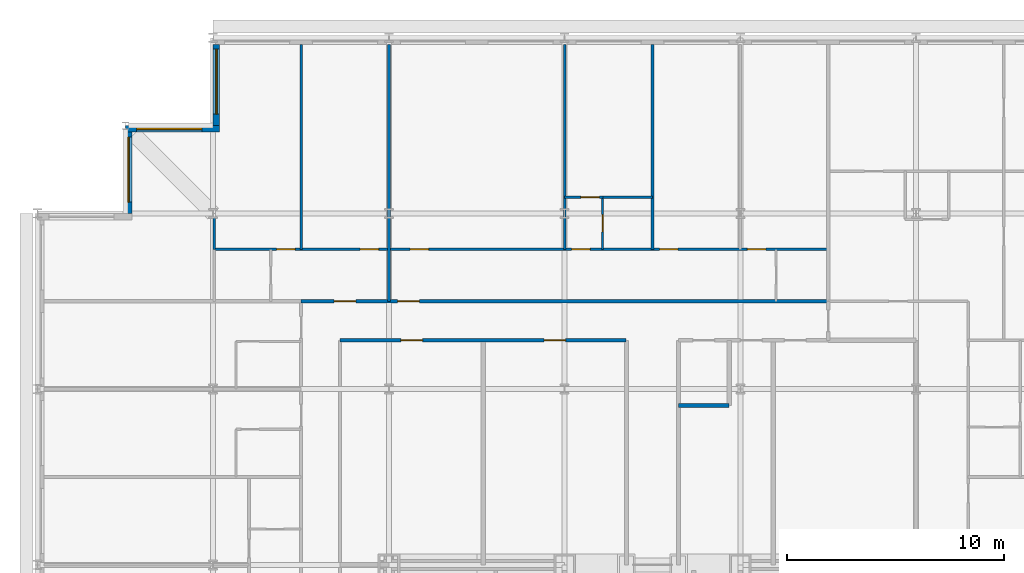
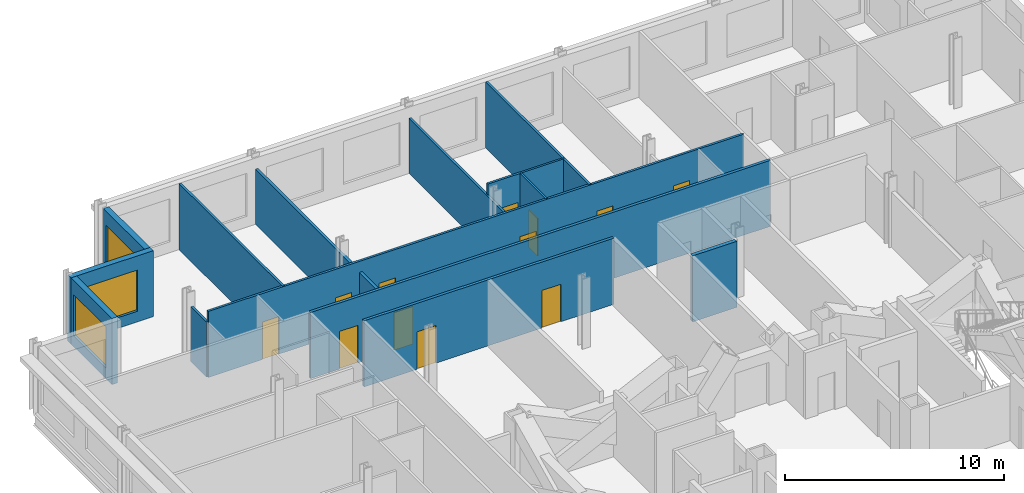
# One storey, part 12 of 15: 15 walls, 12 doors, 3 windows, 15 openings.
"""IFC4 building model written with IfcOpenShell, lengths in metres."""

from ifc_helpers import new_model, si_unit, direction, frame, frame_2d, origin, place, context, subcontext, project, spatial, rectangle, extrude, material, layer, layer_set, type_object, element, fill, save


model = new_model("IFC4")

# Units and contexts
model_context = context("Model", 3, precision=1e-05, world=origin(), true_north=direction((0.0, 1.0)))
body_context = subcontext(model_context, "Body", "Model", "MODEL_VIEW")
ifc_project = project(units=[si_unit("LENGTHUNIT", "METRE"), si_unit("AREAUNIT", "SQUARE_METRE"), si_unit("VOLUMEUNIT", "CUBIC_METRE"), si_unit("PLANEANGLEUNIT", "RADIAN"), si_unit("MASSUNIT", "GRAM", prefix="KILO")], contexts=[model_context])

# Site, building, storey
site_placement = place(None, origin())
site = spatial("IfcSite", under=ifc_project, at=site_placement, CompositionType="ELEMENT")
building_placement = place(site_placement, origin())
building = spatial("IfcBuilding", under=site, at=building_placement, Name="Kopane Lantern Tower", CompositionType="ELEMENT")
storey_placement = place(building_placement, frame((0.0, 0.0, 250.199951171875)))
storey = spatial("IfcBuildingStorey", under=building, at=storey_placement, Name="L64", CompositionType="ELEMENT", Elevation=250.199951171875)

# Walls
ifc_material_1 = material(Name="Gypsum board on steel studs", Category="steel")
ifc_layer_1 = layer(ifc_material_1, 0.1201171875)
ifc_layer_set_1 = layer_set([ifc_layer_1], Name="APARTMENT INTERNAL WALL 120")
wall_type_1 = type_object("IfcWallType", Name="APARTMENT INTERNAL WALL 120", PredefinedType="PARTITIONING", material=ifc_layer_set_1)
wall_1_placement = place(storey_placement, frame((24.300048828125, 55.050048828125, 0.0), z_axis=(0.0, 0.0, 1.0), x_axis=(0.0, 1.0, 0.0)))
element("IfcWall", 1, at=wall_1_placement, inside=storey, type_object=wall_type_1, Name="Apartment Internal Wall 120 L64", PredefinedType="PARTITIONING", context=body_context, shape_type="SweptSolid", body=[
    extrude(rectangle(XDim=9.449951171875, YDim=0.1201171875, at=frame_2d((4.72509765625, 0.0))), origin(), (0.0, 0.0, 1.0), 3.077880859375),
])
wall_2_placement = place(storey_placement, frame((28.35009765625, 55.050048828125, 0.0), z_axis=(0.0, 0.0, 1.0), x_axis=(0.0, 1.0, 0.0)))
element("IfcWall", 2, at=wall_2_placement, inside=storey, type_object=wall_type_1, Name="Apartment Internal Wall 120 L64", PredefinedType="PARTITIONING", context=body_context, shape_type="SweptSolid", body=[
    extrude(rectangle(XDim=9.449951171875, YDim=0.1201171875, at=frame_2d((4.72509765625, 0.0))), origin(), (0.0, 0.0, 1.0), 3.68994140625),
])

# Wall, openings, doors
wall_3_placement = place(storey_placement, frame((8.14990234375, 55.050048828125, 0.0), z_axis=(0.0, 0.0, 1.0), x_axis=(1.0, 0.0, 0.0)))
wall_3 = element("IfcWall", 3, at=wall_3_placement, inside=storey, type_object=wall_type_1, Name="Apartment Internal Wall 120 L64", PredefinedType="PARTITIONING", context=body_context, shape_type="SweptSolid", body=[
    extrude(rectangle(XDim=28.300048828125, YDim=0.1201171875, at=frame_2d((14.14990234375, 0.0))), origin(), (0.0, 0.0, 1.0), 3.68994140625),
])
opening_1_placement = place(wall_3_placement, frame((9.02490234375, 0.0, 0.0)))
opening_1 = element("IfcOpeningElement", 4, at=opening_1_placement, cuts=wall_3, Name="Opening L64-020", PredefinedType="OPENING", context=body_context, shape_type="SweptSolid", body=[
    extrude(rectangle(XDim=0.85009765625, YDim=2.10009765625, at=frame_2d((0.425048828125, 1.050048828125))), frame((0.0, 0.070068359375, 0.0), z_axis=(0.0, -1.0, 0.0), x_axis=(1.0, 0.0, 0.0)), (0.0, 0.0, 1.0), 0.14013671875),
])
opening_2_placement = place(wall_3_placement, frame((16.47509765625, 0.0, 0.0)))
opening_2 = element("IfcOpeningElement", 5, at=opening_2_placement, cuts=wall_3, Name="Opening L64-022", PredefinedType="OPENING", context=body_context, shape_type="SweptSolid", body=[
    extrude(rectangle(XDim=0.85009765625, YDim=2.10009765625, at=frame_2d((0.425048828125, 1.050048828125))), frame((0.0, 0.070068359375, 0.0), z_axis=(0.0, -1.0, 0.0), x_axis=(1.0, 0.0, 0.0)), (0.0, 0.0, 1.0), 0.14013671875),
])
opening_3_placement = place(wall_3_placement, frame((20.52490234375, 0.0, 0.0)))
opening_3 = element("IfcOpeningElement", 6, at=opening_3_placement, cuts=wall_3, Name="Opening L64-023", PredefinedType="OPENING", context=body_context, shape_type="SweptSolid", body=[
    extrude(rectangle(XDim=0.85009765625, YDim=2.10009765625, at=frame_2d((0.425048828125, 1.050048828125))), frame((0.0, 0.070068359375, 0.0), z_axis=(0.0, -1.0, 0.0), x_axis=(1.0, 0.0, 0.0)), (0.0, 0.0, 1.0), 0.14013671875),
])
opening_4_placement = place(wall_3_placement, frame((24.574951171875, 0.0, 0.0)))
opening_4 = element("IfcOpeningElement", 7, at=opening_4_placement, cuts=wall_3, Name="Opening L64-024", PredefinedType="OPENING", context=body_context, shape_type="SweptSolid", body=[
    extrude(rectangle(XDim=0.85009765625, YDim=2.10009765625, at=frame_2d((0.425048828125, 1.050048828125))), frame((0.0, 0.070068359375, 0.0), z_axis=(0.0, -1.0, 0.0), x_axis=(1.0, 0.0, 0.0)), (0.0, 0.0, 1.0), 0.14013671875),
])
opening_5_placement = place(wall_3_placement, frame((6.72509765625, 0.0, 0.0)))
opening_5 = element("IfcOpeningElement", 8, at=opening_5_placement, cuts=wall_3, Name="Opening L64-040", PredefinedType="OPENING", context=body_context, shape_type="SweptSolid", body=[
    extrude(rectangle(XDim=0.85009765625, YDim=2.10009765625, at=frame_2d((0.425048828125, 1.050048828125))), frame((0.0, 0.070068359375, 0.0), z_axis=(0.0, -1.0, 0.0), x_axis=(1.0, 0.0, 0.0)), (0.0, 0.0, 1.0), 0.14013671875),
])
opening_6_placement = place(wall_3_placement, frame((2.875, 0.0, 0.0)))
opening_6 = element("IfcOpeningElement", 9, at=opening_6_placement, cuts=wall_3, Name="Opening L64-042", PredefinedType="OPENING", context=body_context, shape_type="SweptSolid", body=[
    extrude(rectangle(XDim=0.85009765625, YDim=2.10009765625, at=frame_2d((0.425048828125, 1.050048828125))), frame((0.0, 0.070068359375, 0.0), z_axis=(0.0, -1.0, 0.0), x_axis=(1.0, 0.0, 0.0)), (0.0, 0.0, 1.0), 0.14013671875),
])
ifc_material_2 = material(Name="Timber door set", Category="wood")
door_type_1 = type_object("IfcDoorType", Name="DOOR D4 850x2100", OperationType="SINGLE_SWING_LEFT", PredefinedType="DOOR", material=ifc_material_2)
door_1_placement = place(opening_1_placement, origin())
door_1 = element("IfcDoor", 10, at=door_1_placement, inside=storey, type_object=door_type_1, Name="Door L64-020", OperationType="SINGLE_SWING_LEFT", OverallHeight=2.10009765625, OverallWidth=0.85009765625, PredefinedType="DOOR", context=body_context, shape_type="SweptSolid", body=[
    extrude(rectangle(XDim=0.85009765625, YDim=2.10009765625, at=frame_2d((0.425048828125, 1.050048828125))), frame((0.0, 0.02490234375, 0.0), z_axis=(0.0, -1.0, 0.0), x_axis=(1.0, 0.0, 0.0)), (0.0, 0.0, 1.0), 0.050048828125),
])
fill(opening_1, door_1)
door_2_placement = place(opening_2_placement, origin())
door_2 = element("IfcDoor", 11, at=door_2_placement, inside=storey, type_object=door_type_1, Name="Door L64-022", OperationType="SINGLE_SWING_LEFT", OverallHeight=2.10009765625, OverallWidth=0.85009765625, PredefinedType="DOOR", context=body_context, shape_type="SweptSolid", body=[
    extrude(rectangle(XDim=0.85009765625, YDim=2.10009765625, at=frame_2d((0.425048828125, 1.050048828125))), frame((0.0, 0.02490234375, 0.0), z_axis=(0.0, -1.0, 0.0), x_axis=(1.0, 0.0, 0.0)), (0.0, 0.0, 1.0), 0.050048828125),
])
fill(opening_2, door_2)
door_3_placement = place(opening_3_placement, origin())
door_3 = element("IfcDoor", 12, at=door_3_placement, inside=storey, type_object=door_type_1, Name="Door L64-023", OperationType="SINGLE_SWING_LEFT", OverallHeight=2.10009765625, OverallWidth=0.85009765625, PredefinedType="DOOR", context=body_context, shape_type="SweptSolid", body=[
    extrude(rectangle(XDim=0.85009765625, YDim=2.10009765625, at=frame_2d((0.425048828125, 1.050048828125))), frame((0.0, 0.02490234375, 0.0), z_axis=(0.0, -1.0, 0.0), x_axis=(1.0, 0.0, 0.0)), (0.0, 0.0, 1.0), 0.050048828125),
])
fill(opening_3, door_3)
door_4_placement = place(opening_4_placement, origin())
door_4 = element("IfcDoor", 13, at=door_4_placement, inside=storey, type_object=door_type_1, Name="Door L64-024", OperationType="SINGLE_SWING_LEFT", OverallHeight=2.10009765625, OverallWidth=0.85009765625, PredefinedType="DOOR", context=body_context, shape_type="SweptSolid", body=[
    extrude(rectangle(XDim=0.85009765625, YDim=2.10009765625, at=frame_2d((0.425048828125, 1.050048828125))), frame((0.0, 0.02490234375, 0.0), z_axis=(0.0, -1.0, 0.0), x_axis=(1.0, 0.0, 0.0)), (0.0, 0.0, 1.0), 0.050048828125),
])
fill(opening_4, door_4)
door_5_placement = place(opening_5_placement, origin())
door_5 = element("IfcDoor", 14, at=door_5_placement, inside=storey, type_object=door_type_1, Name="Door L64-040", OperationType="SINGLE_SWING_LEFT", OverallHeight=2.10009765625, OverallWidth=0.85009765625, PredefinedType="DOOR", context=body_context, shape_type="SweptSolid", body=[
    extrude(rectangle(XDim=0.85009765625, YDim=2.10009765625, at=frame_2d((0.425048828125, 1.050048828125))), frame((0.0, 0.02490234375, 0.0), z_axis=(0.0, -1.0, 0.0), x_axis=(1.0, 0.0, 0.0)), (0.0, 0.0, 1.0), 0.050048828125),
])
fill(opening_5, door_5)
door_6_placement = place(opening_6_placement, origin())
door_6 = element("IfcDoor", 15, at=door_6_placement, inside=storey, type_object=door_type_1, Name="Door L64-042", OperationType="SINGLE_SWING_RIGHT", OverallHeight=2.10009765625, OverallWidth=0.85009765625, PredefinedType="DOOR", context=body_context, shape_type="SweptSolid", body=[
    extrude(rectangle(XDim=0.85009765625, YDim=2.10009765625, at=frame_2d((0.425048828125, 1.050048828125))), frame((0.0, 0.02490234375, 0.0), z_axis=(0.0, -1.0, 0.0), x_axis=(1.0, 0.0, 0.0)), (0.0, 0.0, 1.0), 0.050048828125),
])
fill(opening_6, door_6)

# Wall
wall_4_placement = place(storey_placement, frame((12.14990234375, 55.050048828125, 0.0), z_axis=(0.0, 0.0, 1.0), x_axis=(0.0, 1.0, 0.0)))
element("IfcWall", 16, at=wall_4_placement, inside=storey, type_object=wall_type_1, Name="Apartment Internal Wall 120 L64", PredefinedType="PARTITIONING", context=body_context, shape_type="SweptSolid", body=[
    extrude(rectangle(XDim=9.449951171875, YDim=0.1201171875, at=frame_2d((4.72509765625, 0.0))), origin(), (0.0, 0.0, 1.0), 3.68994140625),
])

# Wall, opening, door
wall_5_placement = place(storey_placement, frame((24.300048828125, 57.449951171875, 0.0), z_axis=(0.0, 0.0, 1.0), x_axis=(1.0, 0.0, 0.0)))
wall_5 = element("IfcWall", 17, at=wall_5_placement, inside=storey, type_object=wall_type_1, Name="Apartment Internal Wall 120 L64", PredefinedType="PARTITIONING", context=body_context, shape_type="SweptSolid", body=[
    extrude(rectangle(XDim=1.760009765625, YDim=0.1201171875, at=frame_2d((0.8798828125, 0.0))), origin(), (0.0, 0.0, 1.0), 3.68994140625),
])
opening_7_placement = place(wall_5_placement, frame((0.75, 0.0, 0.0)))
opening_7 = element("IfcOpeningElement", 18, at=opening_7_placement, cuts=wall_5, Name="Opening L64-061", PredefinedType="OPENING", context=body_context, shape_type="SweptSolid", body=[
    extrude(rectangle(XDim=0.85009765625, YDim=2.10009765625, at=frame_2d((0.425048828125, 1.050048828125))), frame((0.0, 0.070068359375, 0.0), z_axis=(0.0, -1.0, 0.0), x_axis=(1.0, 0.0, 0.0)), (0.0, 0.0, 1.0), 0.14013671875),
])
door_7_placement = place(opening_7_placement, origin())
door_7 = element("IfcDoor", 19, at=door_7_placement, inside=storey, type_object=door_type_1, Name="Door L64-061", OperationType="SINGLE_SWING_LEFT", OverallHeight=2.10009765625, OverallWidth=0.85009765625, PredefinedType="DOOR", context=body_context, shape_type="SweptSolid", body=[
    extrude(rectangle(XDim=0.85009765625, YDim=2.10009765625, at=frame_2d((0.425048828125, 1.050048828125))), frame((0.0, 0.02490234375, 0.0), z_axis=(0.0, -1.0, 0.0), x_axis=(1.0, 0.0, 0.0)), (0.0, 0.0, 1.0), 0.050048828125),
])
fill(opening_7, door_7)

# Wall
wall_6_placement = place(storey_placement, frame((8.14990234375, 55.050048828125, 0.0), z_axis=(0.0, 0.0, 1.0), x_axis=(0.0, 1.0, 0.0)))
element("IfcWall", 20, at=wall_6_placement, inside=storey, type_object=wall_type_1, Name="Apartment Internal Wall 120 L64", PredefinedType="PARTITIONING", context=body_context, shape_type="SweptSolid", body=[
    extrude(rectangle(XDim=1.447021484375, YDim=0.1201171875, at=frame_2d((0.7236328125, 0.0))), origin(), (0.0, 0.0, 1.0), 3.077880859375),
])

# Wall, opening, door
ifc_material_3 = material(Name="Moisture-resistant board on steel studs", Category="steel")
ifc_layer_2 = layer(ifc_material_3, 0.10009765625)
ifc_layer_set_2 = layer_set([ifc_layer_2], Name="BATHROOM WALL 100")
wall_type_2 = type_object("IfcWallType", Name="BATHROOM WALL 100", PredefinedType="PARTITIONING", material=ifc_layer_set_2)
wall_7_placement = place(storey_placement, frame((26.050048828125, 55.050048828125, 0.0), z_axis=(0.0, 0.0, 1.0), x_axis=(0.0, 1.0, 0.0)))
wall_7 = element("IfcWall", 21, at=wall_7_placement, inside=storey, type_object=wall_type_2, Name="Bathroom Wall 100 L64", PredefinedType="PARTITIONING", context=body_context, shape_type="SweptSolid", body=[
    extrude(rectangle(XDim=2.39990234375, YDim=0.10009765625, at=frame_2d((1.199951171875, 0.0))), origin(), (0.0, 0.0, 1.0), 3.68994140625),
])
opening_8_placement = place(wall_7_placement, frame((0.800048828125, 0.0, 0.0)))
opening_8 = element("IfcOpeningElement", 22, at=opening_8_placement, cuts=wall_7, Name="Opening L64-021", PredefinedType="OPENING", context=body_context, shape_type="SweptSolid", body=[
    extrude(rectangle(XDim=0.800048828125, YDim=2.10009765625, at=frame_2d((0.39990234375, 1.050048828125))), frame((0.0, 0.06005859375, 0.0), z_axis=(0.0, -1.0, 0.0), x_axis=(1.0, 0.0, 0.0)), (0.0, 0.0, 1.0), 0.1201171875),
])
ifc_material_4 = material(Name="Timber door set", Category="wood")
door_type_2 = type_object("IfcDoorType", Name="DOOR D2 800x2100", OperationType="SINGLE_SWING_LEFT", PredefinedType="DOOR", material=ifc_material_4)
door_8_placement = place(opening_8_placement, origin())
door_8 = element("IfcDoor", 23, at=door_8_placement, inside=storey, type_object=door_type_2, Name="Door L64-021", OperationType="SINGLE_SWING_RIGHT", OverallHeight=2.10009765625, OverallWidth=0.800048828125, PredefinedType="DOOR", context=body_context, shape_type="SweptSolid", body=[
    extrude(rectangle(XDim=0.800048828125, YDim=2.10009765625, at=frame_2d((0.39990234375, 1.050048828125))), frame((0.0, 0.02490234375, 0.0), z_axis=(0.0, -1.0, 0.0), x_axis=(1.0, 0.0, 0.0)), (0.0, 0.0, 1.0), 0.050048828125),
])
fill(opening_8, door_8)

# Wall
wall_8_placement = place(storey_placement, frame((26.050048828125, 57.449951171875, 0.0), z_axis=(0.0, 0.0, 1.0), x_axis=(1.0, 0.0, 0.0)))
element("IfcWall", 24, at=wall_8_placement, inside=storey, type_object=wall_type_2, Name="Bathroom Wall 100 L64", PredefinedType="PARTITIONING", context=body_context, shape_type="SweptSolid", body=[
    extrude(rectangle(XDim=2.300048828125, YDim=0.10009765625, at=frame_2d((1.14990234375, 0.0))), origin(), (0.0, 0.0, 1.0), 3.68994140625),
])

# Wall, openings, doors
ifc_material_5 = material(Name="Gypsum board on steel studs", Category="steel")
ifc_layer_3 = layer(ifc_material_5, 0.14990234375)
ifc_layer_set_3 = layer_set([ifc_layer_3], Name="CORRIDOR WALL 150 EI 60")
wall_type_3 = type_object("IfcWallType", Name="CORRIDOR WALL 150 EI 60", PredefinedType="PARTITIONING", material=ifc_layer_set_3)
wall_9_placement = place(storey_placement, frame((12.14990234375, 52.64990234375, 0.0), z_axis=(0.0, 0.0, 1.0), x_axis=(1.0, 0.0, 0.0)))
wall_9 = element("IfcWall", 25, at=wall_9_placement, inside=storey, type_object=wall_type_3, Name="Corridor Wall 150 Ei 60 L64", PredefinedType="PARTITIONING", context=body_context, shape_type="SweptSolid", body=[
    extrude(rectangle(XDim=24.300048828125, YDim=0.14990234375, at=frame_2d((12.14990234375, 0.0))), origin(), (0.0, 0.0, 1.0), 3.68994140625),
])
opening_9_placement = place(wall_9_placement, frame((4.449951171875, 0.0, 0.0)))
opening_9 = element("IfcOpeningElement", 26, at=opening_9_placement, cuts=wall_9, Name="Opening L64-019", PredefinedType="OPENING", context=body_context, shape_type="SweptSolid", body=[
    extrude(rectangle(XDim=1.0, YDim=2.10009765625, at=frame_2d((0.5, 1.050048828125))), frame((0.0, 0.0849609375, 0.0), z_axis=(0.0, -1.0, 0.0), x_axis=(1.0, 0.0, 0.0)), (0.0, 0.0, 1.0), 0.169921875),
])
opening_10_placement = place(wall_9_placement, frame((1.52490234375, 0.0, 0.0)))
opening_10 = element("IfcOpeningElement", 27, at=opening_10_placement, cuts=wall_9, Name="Opening L64-039", PredefinedType="OPENING", context=body_context, shape_type="SweptSolid", body=[
    extrude(rectangle(XDim=1.0, YDim=2.10009765625, at=frame_2d((0.5, 1.050048828125))), frame((0.0, 0.0849609375, 0.0), z_axis=(0.0, -1.0, 0.0), x_axis=(1.0, 0.0, 0.0)), (0.0, 0.0, 1.0), 0.169921875),
])
ifc_material_6 = material(Name="Steel door set", Category="steel")
door_type_3 = type_object("IfcDoorType", Name="DOOR D3 1000x2100 FD30S", OperationType="SINGLE_SWING_LEFT", PredefinedType="DOOR", material=ifc_material_6)
door_9_placement = place(opening_9_placement, origin())
door_9 = element("IfcDoor", 28, at=door_9_placement, inside=storey, type_object=door_type_3, Name="Door L64-019", OperationType="SINGLE_SWING_LEFT", OverallHeight=2.10009765625, OverallWidth=1.0, PredefinedType="DOOR", context=body_context, shape_type="SweptSolid", body=[
    extrude(rectangle(XDim=1.0, YDim=2.10009765625, at=frame_2d((0.5, 1.050048828125))), frame((0.0, 0.02490234375, 0.0), z_axis=(0.0, -1.0, 0.0), x_axis=(1.0, 0.0, 0.0)), (0.0, 0.0, 1.0), 0.050048828125),
])
fill(opening_9, door_9)
door_10_placement = place(opening_10_placement, origin())
door_10 = element("IfcDoor", 29, at=door_10_placement, inside=storey, type_object=door_type_3, Name="Door L64-039", OperationType="SINGLE_SWING_RIGHT", OverallHeight=2.10009765625, OverallWidth=1.0, PredefinedType="DOOR", context=body_context, shape_type="SweptSolid", body=[
    extrude(rectangle(XDim=1.0, YDim=2.10009765625, at=frame_2d((0.5, 1.050048828125))), frame((0.0, 0.02490234375, 0.0), z_axis=(0.0, -1.0, 0.0), x_axis=(1.0, 0.0, 0.0)), (0.0, 0.0, 1.0), 0.050048828125),
])
fill(opening_10, door_10)

wall_10_placement = place(storey_placement, frame((13.949951171875, 50.85009765625, 0.0), z_axis=(0.0, 0.0, 1.0), x_axis=(1.0, 0.0, 0.0)))
wall_10 = element("IfcWall", 30, at=wall_10_placement, inside=storey, type_object=wall_type_3, Name="Corridor Wall 150 Ei 60 L64", PredefinedType="PARTITIONING", context=body_context, shape_type="SweptSolid", body=[
    extrude(rectangle(XDim=13.18994140625, YDim=0.14990234375, at=frame_2d((6.594970703125, 0.0))), origin(), (0.0, 0.0, 1.0), 3.68994140625),
])
opening_11_placement = place(wall_10_placement, frame((2.800048828125, 0.0, 0.0)))
opening_11 = element("IfcOpeningElement", 31, at=opening_11_placement, cuts=wall_10, Name="Opening L64-003", PredefinedType="OPENING", context=body_context, shape_type="SweptSolid", body=[
    extrude(rectangle(XDim=1.0, YDim=2.10009765625, at=frame_2d((0.5, 1.050048828125))), frame((0.0, 0.0849609375, 0.0), z_axis=(0.0, -1.0, 0.0), x_axis=(1.0, 0.0, 0.0)), (0.0, 0.0, 1.0), 0.169921875),
])
opening_12_placement = place(wall_10_placement, frame((9.39990234375, 0.0, 0.0)))
opening_12 = element("IfcOpeningElement", 32, at=opening_12_placement, cuts=wall_10, Name="Opening L64-004", PredefinedType="OPENING", context=body_context, shape_type="SweptSolid", body=[
    extrude(rectangle(XDim=1.0, YDim=2.10009765625, at=frame_2d((0.5, 1.050048828125))), frame((0.0, 0.0849609375, 0.0), z_axis=(0.0, -1.0, 0.0), x_axis=(1.0, 0.0, 0.0)), (0.0, 0.0, 1.0), 0.169921875),
])
ifc_material_7 = material(Name="Steel door set", Category="steel")
door_type_4 = type_object("IfcDoorType", Name="DOOR D5 1000x2100 FD60", OperationType="SINGLE_SWING_LEFT", PredefinedType="DOOR", material=ifc_material_7)
door_11_placement = place(opening_11_placement, origin())
door_11 = element("IfcDoor", 33, at=door_11_placement, inside=storey, type_object=door_type_4, Name="Door L64-003", OperationType="SINGLE_SWING_RIGHT", OverallHeight=2.10009765625, OverallWidth=1.0, PredefinedType="DOOR", context=body_context, shape_type="SweptSolid", body=[
    extrude(rectangle(XDim=1.0, YDim=2.10009765625, at=frame_2d((0.5, 1.050048828125))), frame((0.0, 0.02490234375, 0.0), z_axis=(0.0, -1.0, 0.0), x_axis=(1.0, 0.0, 0.0)), (0.0, 0.0, 1.0), 0.050048828125),
])
fill(opening_11, door_11)
door_12_placement = place(opening_12_placement, origin())
door_12 = element("IfcDoor", 34, at=door_12_placement, inside=storey, type_object=door_type_4, Name="Door L64-004", OperationType="SINGLE_SWING_LEFT", OverallHeight=2.10009765625, OverallWidth=1.0, PredefinedType="DOOR", context=body_context, shape_type="SweptSolid", body=[
    extrude(rectangle(XDim=1.0, YDim=2.10009765625, at=frame_2d((0.5, 1.050048828125))), frame((0.0, 0.02490234375, 0.0), z_axis=(0.0, -1.0, 0.0), x_axis=(1.0, 0.0, 0.0)), (0.0, 0.0, 1.0), 0.050048828125),
])
fill(opening_12, door_12)

# Wall
ifc_material_8 = material(Name="Gypsum board on steel studs", Category="steel")
ifc_layer_4 = layer(ifc_material_8, 0.14990234375)
ifc_layer_set_4 = layer_set([ifc_layer_4], Name="DEMISING WALL 150 EI 60")
wall_type_4 = type_object("IfcWallType", Name="DEMISING WALL 150 EI 60", PredefinedType="PARTITIONING", material=ifc_layer_set_4)
wall_11_placement = place(storey_placement, frame((16.199951171875, 52.64990234375, 0.0), z_axis=(0.0, 0.0, 1.0), x_axis=(0.0, 1.0, 0.0)))
element("IfcWall", 35, at=wall_11_placement, inside=storey, type_object=wall_type_4, Name="Demising Wall 150 Ei 60 L64", PredefinedType="PARTITIONING", context=body_context, shape_type="SweptSolid", body=[
    extrude(rectangle(XDim=11.85009765625, YDim=0.14990234375, at=frame_2d((5.925048828125, 0.0))), origin(), (0.0, 0.0, 1.0), 3.077880859375),
])

# Wall, opening, window
ifc_material_9 = material(Name="Terracotta rainscreen on light steel framing", Category="masonry")
ifc_layer_5 = layer(ifc_material_9, 0.300048828125)
ifc_layer_set_5 = layer_set([ifc_layer_5], Name="EXTERNAL WALL EW1 300 TERRACOTTA")
wall_type_5 = type_object("IfcWallType", Name="EXTERNAL WALL EW1 300 TERRACOTTA", PredefinedType="SOLIDWALL", material=ifc_layer_set_5)
wall_12_placement = place(storey_placement, frame((8.25, 64.5, 0.0), z_axis=(0.0, 0.0, 1.0), x_axis=(0.0, -1.0, 0.0)))
wall_12 = element("IfcWall", 36, at=wall_12_placement, inside=storey, type_object=wall_type_5, Name="External wall W L64", PredefinedType="SOLIDWALL", context=body_context, shape_type="SweptSolid", body=[
    extrude(rectangle(XDim=3.75, YDim=0.300048828125, at=frame_2d((1.875, 0.0))), origin(), (0.0, 0.0, 1.0), 3.68994140625),
])
opening_13_placement = place(wall_12_placement, frame((0.22509765625, 0.0, 0.60009765625)))
opening_13 = element("IfcOpeningElement", 37, at=opening_13_placement, cuts=wall_12, Name="Opening WR300230", PredefinedType="OPENING", context=body_context, shape_type="SweptSolid", body=[
    extrude(rectangle(XDim=3.0, YDim=2.300048828125, at=frame_2d((1.5, 1.14990234375))), frame((0.0, 0.159912109375, 0.0), z_axis=(0.0, -1.0, 0.0), x_axis=(1.0, 0.0, 0.0)), (0.0, 0.0, 1.0), 0.320068359375),
])
ifc_material_10 = material(Name="Aluminium and clear glass", Category="aluminium")
window_type = type_object("IfcWindowType", Name="RIBBON WINDOW WR300230 3000x2300", PartitioningType="SINGLE_PANEL", PredefinedType="WINDOW", material=ifc_material_10)
window_1_placement = place(opening_13_placement, origin())
window_1 = element("IfcWindow", 38, at=window_1_placement, inside=storey, type_object=window_type, Name="Window W L64", OverallHeight=2.300048828125, OverallWidth=3.0, PartitioningType="SINGLE_PANEL", PredefinedType="WINDOW", context=body_context, shape_type="SweptSolid", body=[
    extrude(rectangle(XDim=3.0, YDim=2.300048828125, at=frame_2d((1.5, 1.14990234375))), frame((0.0, 0.030029296875, 0.0), z_axis=(0.0, -1.0, 0.0), x_axis=(1.0, 0.0, 0.0)), (0.0, 0.0, 1.0), 0.06005859375),
])
fill(opening_13, window_1)

wall_13_placement = place(storey_placement, frame((8.39990234375, 60.60009765625, 0.0), z_axis=(0.0, 0.0, 1.0), x_axis=(-1.0, 0.0, 0.0)))
wall_13 = element("IfcWall", 39, at=wall_13_placement, inside=storey, type_object=wall_type_5, Name="External wall N L64", PredefinedType="SOLIDWALL", context=body_context, shape_type="SweptSolid", body=[
    extrude(rectangle(XDim=4.349853515625, YDim=0.300048828125, at=frame_2d((2.1748046875, 0.0))), origin(), (0.0, 0.0, 1.0), 3.68994140625),
])
opening_14_placement = place(wall_13_placement, frame((0.824951171875, 0.0, 0.60009765625)))
opening_14 = element("IfcOpeningElement", 40, at=opening_14_placement, cuts=wall_13, Name="Opening WR300230", PredefinedType="OPENING", context=body_context, shape_type="SweptSolid", body=[
    extrude(rectangle(XDim=3.0, YDim=2.300048828125, at=frame_2d((1.5, 1.14990234375))), frame((0.0, 0.159912109375, 0.0), z_axis=(0.0, -1.0, 0.0), x_axis=(1.0, 0.0, 0.0)), (0.0, 0.0, 1.0), 0.320068359375),
])
window_2_placement = place(opening_14_placement, origin())
window_2 = element("IfcWindow", 41, at=window_2_placement, inside=storey, type_object=window_type, Name="Window N L64", OverallHeight=2.300048828125, OverallWidth=3.0, PartitioningType="SINGLE_PANEL", PredefinedType="WINDOW", context=body_context, shape_type="SweptSolid", body=[
    extrude(rectangle(XDim=3.0, YDim=2.300048828125, at=frame_2d((1.5, 1.14990234375))), frame((0.0, 0.030029296875, 0.0), z_axis=(0.0, -1.0, 0.0), x_axis=(1.0, 0.0, 0.0)), (0.0, 0.0, 1.0), 0.06005859375),
])
fill(opening_14, window_2)

wall_14_placement = place(storey_placement, frame((4.199951171875, 60.449951171875, 0.0), z_axis=(0.0, 0.0, 1.0), x_axis=(0.0, -1.0, 0.0)))
wall_14 = element("IfcWall", 42, at=wall_14_placement, inside=storey, type_object=wall_type_5, Name="External wall W L64", PredefinedType="SOLIDWALL", context=body_context, shape_type="SweptSolid", body=[
    extrude(rectangle(XDim=3.75, YDim=0.300048828125, at=frame_2d((1.875, 0.0))), origin(), (0.0, 0.0, 1.0), 3.68994140625),
])
opening_15_placement = place(wall_14_placement, frame((0.22509765625, 0.0, 0.60009765625)))
opening_15 = element("IfcOpeningElement", 43, at=opening_15_placement, cuts=wall_14, Name="Opening WR300230", PredefinedType="OPENING", context=body_context, shape_type="SweptSolid", body=[
    extrude(rectangle(XDim=3.0, YDim=2.300048828125, at=frame_2d((1.5, 1.14990234375))), frame((0.0, 0.159912109375, 0.0), z_axis=(0.0, -1.0, 0.0), x_axis=(1.0, 0.0, 0.0)), (0.0, 0.0, 1.0), 0.320068359375),
])
window_3_placement = place(opening_15_placement, origin())
window_3 = element("IfcWindow", 44, at=window_3_placement, inside=storey, type_object=window_type, Name="Window W L64", OverallHeight=2.300048828125, OverallWidth=3.0, PartitioningType="SINGLE_PANEL", PredefinedType="WINDOW", context=body_context, shape_type="SweptSolid", body=[
    extrude(rectangle(XDim=3.0, YDim=2.300048828125, at=frame_2d((1.5, 1.14990234375))), frame((0.0, 0.030029296875, 0.0), z_axis=(0.0, -1.0, 0.0), x_axis=(1.0, 0.0, 0.0)), (0.0, 0.0, 1.0), 0.06005859375),
])
fill(opening_15, window_3)

# Wall
ifc_material_11 = material(Name="Concrete masonry", Category="masonry")
ifc_layer_6 = layer(ifc_material_11, 0.199951171875)
ifc_layer_set_6 = layer_set([ifc_layer_6], Name="PLANT ROOM WALL 200 EI 120")
wall_type_6 = type_object("IfcWallType", Name="PLANT ROOM WALL 200 EI 120", PredefinedType="SOLIDWALL", material=ifc_layer_set_6)
wall_15_placement = place(storey_placement, frame((29.550048828125, 47.85009765625, 0.0), z_axis=(0.0, 0.0, 1.0), x_axis=(1.0, 0.0, 0.0)))
element("IfcWall", 45, at=wall_15_placement, inside=storey, type_object=wall_type_6, Name="Plant Room Wall 200 Ei 120 L64", PredefinedType="SOLIDWALL", context=body_context, shape_type="SweptSolid", body=[
    extrude(rectangle(XDim=2.333251953125, YDim=0.199951171875, at=frame_2d((1.16650390625, 0.0))), origin(), (0.0, 0.0, 1.0), 3.68994140625),
])

save(model, "model.ifc")
